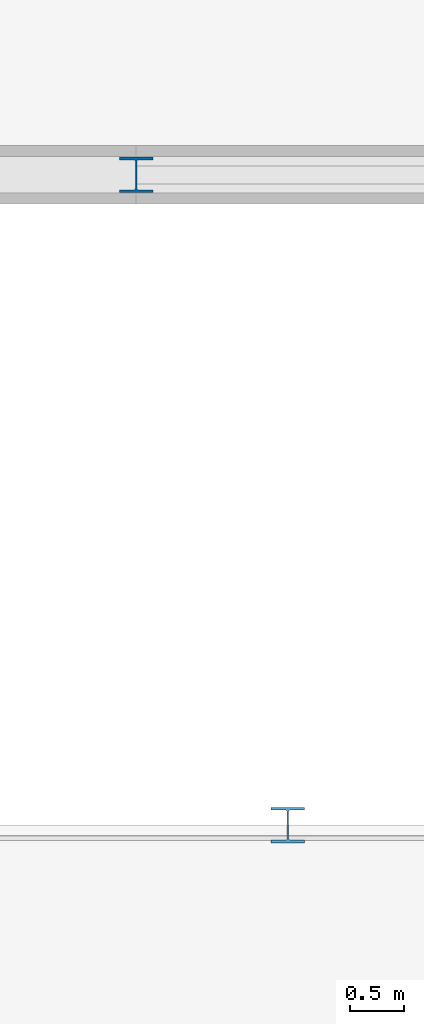
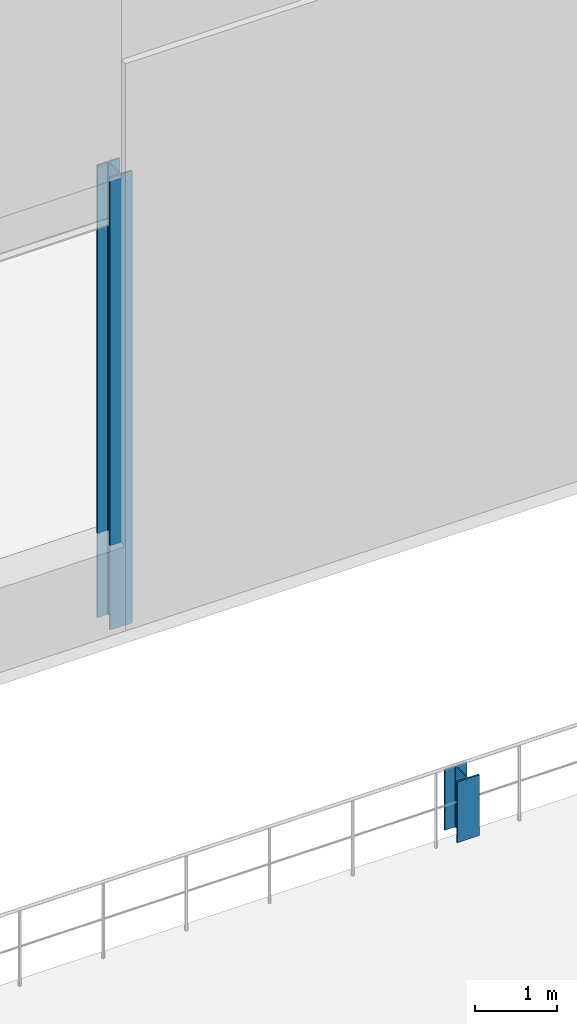
# One storey, part 3 of 97: 2 columns.
"""IFC4 building model written with IfcOpenShell, lengths in metres."""

from ifc_helpers import new_model, si_unit, derived_unit, direction, frame, origin, origin_2d, place, context, subcontext, project, spatial, i_section, extrude, material, material_profile, profile_set, type_object, element, save


model = new_model("IFC4")

# Units and contexts
model_context = context("Model", 3, precision=1e-05, world=origin(), true_north=direction((0.0, 1.0)))
body_context = subcontext(model_context, "Body", "Model", "MODEL_VIEW")
ifc_project = project(units=[si_unit("LENGTHUNIT", "METRE"), si_unit("AREAUNIT", "SQUARE_METRE"), si_unit("VOLUMEUNIT", "CUBIC_METRE"), si_unit("PLANEANGLEUNIT", "RADIAN"), si_unit("MASSUNIT", "GRAM", prefix="KILO"), derived_unit("THERMALTRANSMITTANCEUNIT", [(si_unit("POWERUNIT", "WATT"), 1), (si_unit("LENGTHUNIT", "METRE"), -2), (si_unit("THERMODYNAMICTEMPERATUREUNIT", "KELVIN"), -1)])], contexts=[model_context])

# Site, building, storey
site_placement = place(None, origin())
site = spatial("IfcSite", under=ifc_project, at=site_placement, CompositionType="ELEMENT")
building_placement = place(site_placement, origin())
building = spatial("IfcBuilding", under=site, at=building_placement, Name="Almenara Railside Exhibition Hall", CompositionType="ELEMENT")
storey_placement = place(building_placement, frame((0.0, 0.0, 10.800048828125)))
storey = spatial("IfcBuildingStorey", under=building, at=storey_placement, Name="L02", CompositionType="ELEMENT", Elevation=10.800048828125)

# Columns
ifc_material = material(Name="Structural steel S355JR", Category="steel")
ifc_material_profile = material_profile(ifc_material, i_section(OverallWidth=0.311279296875, OverallDepth=0.3271484375, WebThickness=0.015869140625, FlangeThickness=0.02490234375, FilletRadius=0.01513671875, at=origin_2d()), Name="UC 305x305x158")
ifc_profile_set = profile_set([ifc_material_profile], Name="Structural steel S355JR")
column_type = type_object("IfcColumnType", Name="Steel Column UC 305x305x158 S355JR", PredefinedType="COLUMN", material=ifc_profile_set)
column_1_placement = place(storey_placement, frame((55.60009765625, 48.0, 0.0), z_axis=(0.0, 0.0, 1.0), x_axis=(1.0, 0.0, 0.0)))
element("IfcColumn", 1, at=column_1_placement, inside=storey, type_object=column_type, Name="Column 0012", PredefinedType="COLUMN", context=body_context, shape_type="SweptSolid", body=[
    extrude(i_section(OverallWidth=0.311279296875, OverallDepth=0.3271484375, WebThickness=0.015869140625, FlangeThickness=0.02490234375, FilletRadius=0.01513671875, at=origin_2d()), origin(), (0.0, 0.0, 1.0), 6.699951171875),
])
column_2_placement = place(storey_placement, frame((57.0, 42.0, 0.0), z_axis=(0.0, 0.0, 1.0), x_axis=(1.0, 0.0, 0.0)))
element("IfcColumn", 2, at=column_2_placement, inside=storey, type_object=column_type, Name="Column 0182", PredefinedType="COLUMN", context=body_context, shape_type="SweptSolid", body=[
    extrude(i_section(OverallWidth=0.311279296875, OverallDepth=0.3271484375, WebThickness=0.015869140625, FlangeThickness=0.02490234375, FilletRadius=0.01513671875, at=origin_2d()), origin(), (0.0, 0.0, 1.0), 0.89990234375),
])

save(model, "model.ifc")
